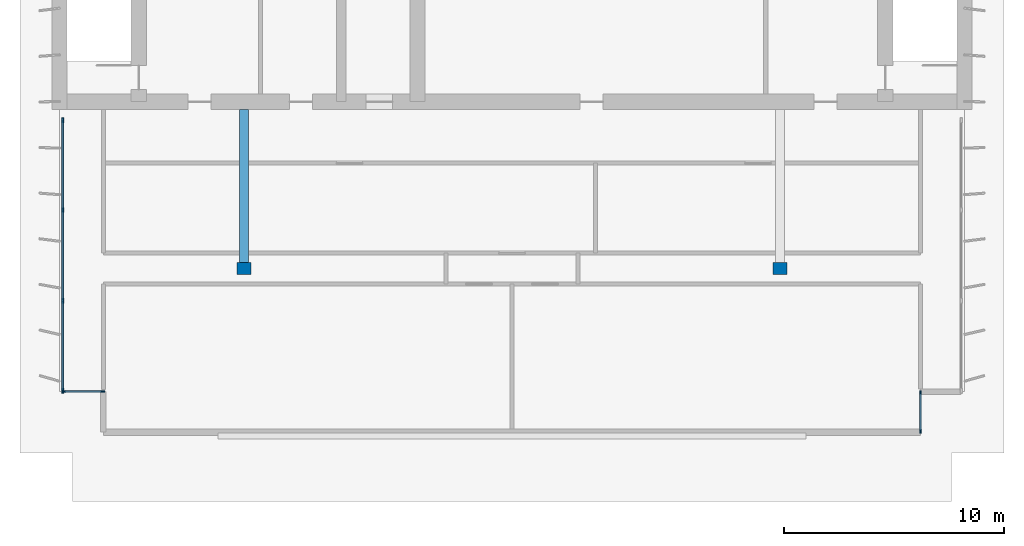
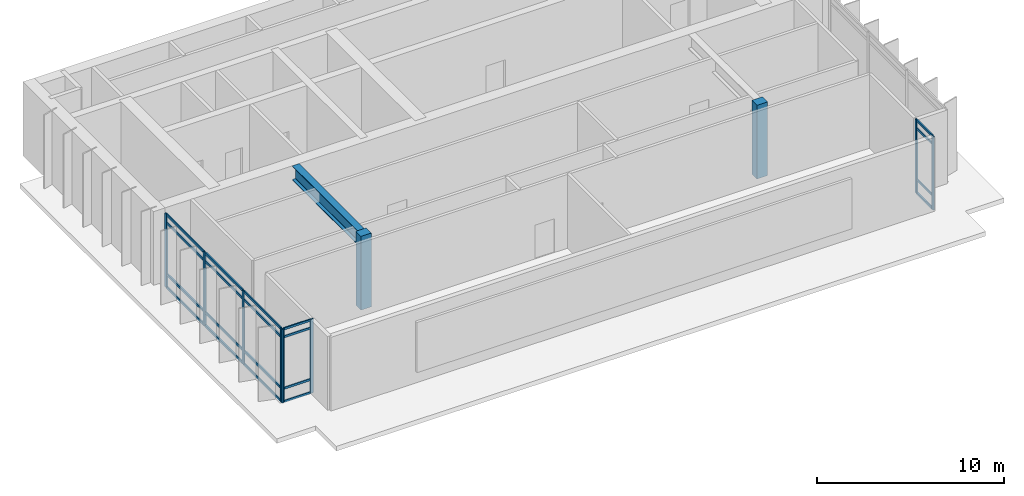
# One storey, part 1 of 5: 28 members, 2 columns, 1 beam, 3 elements without a shape of their own.
"""IFC4 building model written with IfcOpenShell, lengths in metres."""

from ifc_helpers import new_model, si_unit, direction, frame, origin, origin_2d, place, context, subcontext, project, spatial, rectangle, i_section, extrude, material, layer, layer_set, material_profile, profile_set, type_object, element, aggregate, save


model = new_model("IFC4")

# Units and contexts
model_context = context("Model", 3, precision=1e-05, world=origin(), true_north=direction((0.0, 1.0)))
body_context = subcontext(model_context, "Body", "Model", "MODEL_VIEW")
ifc_project = project(units=[si_unit("LENGTHUNIT", "METRE"), si_unit("AREAUNIT", "SQUARE_METRE"), si_unit("VOLUMEUNIT", "CUBIC_METRE"), si_unit("PLANEANGLEUNIT", "RADIAN"), si_unit("MASSUNIT", "GRAM", prefix="KILO")], contexts=[model_context])

# Site, building, storey
site_placement = place(None, origin())
site = spatial("IfcSite", under=ifc_project, at=site_placement, CompositionType="ELEMENT")
building_placement = place(site_placement, origin())
building = spatial("IfcBuilding", under=site, at=building_placement, Name="Caelmar Bay Residences", CompositionType="ELEMENT")
storey_placement = place(building_placement, frame((0.0, 0.0, 300.39990234375)))
storey = spatial("IfcBuildingStorey", under=building, at=storey_placement, Name="L82", CompositionType="ELEMENT", Elevation=300.39990234375)

# Columns
ifc_material_1 = material(Name="Concrete f'c 55 MPa (8,000 psi)", Category="concrete")
ifc_material_profile_1 = material_profile(ifc_material_1, rectangle(XDim=0.64990234375, YDim=0.550048828125, at=origin_2d()), Name="RC-COL-650X550")
ifc_profile_set_1 = profile_set([ifc_material_profile_1], Name="Concrete f'c 55 MPa (8,000 psi)")
column_type = type_object("IfcColumnType", Name="COL-RC-650X550", PredefinedType="COLUMN", material=ifc_profile_set_1)
for number, where, z_axis, x_axis, name in (
    (1, (26.699951171875, 29.39990234375, 0.0), (0.0, 0.0, 1.0), (1.0, 0.0, 0.0), "L82 Column (26.70,29.40)"),
    (2, (51.10009765625, 29.39990234375, 0.0), (0.0, 0.0, 1.0), (1.0, 0.0, 0.0), "L82 Column (51.10,29.40)"),
):
    element("IfcColumn", number, at=place(storey_placement, frame(where, z_axis=z_axis, x_axis=x_axis)), inside=storey, type_object=column_type, Name=name, PredefinedType="COLUMN", context=body_context, shape_type="SweptSolid", body=[
        extrude(rectangle(XDim=0.64990234375, YDim=0.550048828125, at=origin_2d()), origin(), (0.0, 0.0, 1.0), 4.800048828125),
    ])

# Beam
ifc_material_2 = material(Name="Steel ASTM A992 Grade 50", Category="steel")
ifc_material_profile_2 = material_profile(ifc_material_2, i_section(OverallWidth=0.422119140625, OverallDepth=0.925048828125, WebThickness=0.021240234375, FlangeThickness=0.03662109375, FilletRadius=0.020263671875, at=origin_2d()), Name="W36X262")
ifc_profile_set_2 = profile_set([ifc_material_profile_2], Name="Steel ASTM A992 Grade 50")
beam_type = type_object("IfcBeamType", Name="BM-GRD-W36X262", PredefinedType="BEAM", material=ifc_profile_set_2)
beam_placement = place(storey_placement, frame((26.699951171875, 29.6650390625, 4.337646484375), z_axis=(0.0, 1.0, 0.0), x_axis=(-1.0, 0.0, 0.0)))
element("IfcBeam", 3, at=beam_placement, inside=storey, type_object=beam_type, Name="L82 Core Tie Girder X=26.70", PredefinedType="BEAM", context=body_context, shape_type="SweptSolid", body=[
    extrude(i_section(OverallWidth=0.422119140625, OverallDepth=0.925048828125, WebThickness=0.021240234375, FlangeThickness=0.03662109375, FilletRadius=0.020263671875, at=origin_2d()), origin(), (0.0, 0.0, 1.0), 6.98486328125),
])

# Curtain wall, members
ifc_material_3 = material(Name="Anodised bronze aluminium 6063-T6 and laminated glass", Category="aluminium")
ifc_layer_1 = layer(ifc_material_3, 0.179931640625)
ifc_layer_set_1 = layer_set([ifc_layer_1], Name="Anodised bronze aluminium 6063-T6 and laminated glass")
curtain_wall_type_1 = type_object("IfcCurtainWallType", Name="CW6-NTC", PredefinedType="NOTDEFINED", material=ifc_layer_set_1)
curtain_wall_1_placement = place(storey_placement, origin())
curtain_wall_1 = element("IfcCurtainWall", 4, at=curtain_wall_1_placement, inside=storey, type_object=curtain_wall_type_1, Name="CW6 curtain wall L82", PredefinedType="NOTDEFINED")
ifc_material_4 = material(Name="Anodised bronze aluminium 6063-T6", Category="aluminium")
ifc_material_profile_3 = material_profile(ifc_material_4, rectangle(XDim=0.080078125, YDim=0.179931640625, at=origin_2d()), Name="CWM-80X180")
ifc_profile_set_3 = profile_set([ifc_material_profile_3], Name="Anodised bronze aluminium 6063-T6")
member_type_1 = type_object("IfcMemberType", Name="CWM-180", PredefinedType="MULLION", material=ifc_profile_set_3)
member_1_placement = place(storey_placement, frame((18.489990234375, 23.800048828125, 0.0), z_axis=(0.0, 0.0, 1.0), x_axis=(0.0, 1.0, 0.0)))
member_1 = element("IfcMember", 5, at=member_1_placement, type_object=member_type_1, Name="CW6 mullion 1", PredefinedType="MULLION", context=body_context, shape_type="SweptSolid", body=[
    extrude(rectangle(XDim=0.080078125, YDim=0.179931640625, at=origin_2d()), origin(), (0.0, 0.0, 1.0), 4.800048828125),
])
member_2_placement = place(storey_placement, frame((20.260009765625, 23.800048828125, 0.0), z_axis=(0.0, 0.0, 1.0), x_axis=(0.0, 1.0, 0.0)))
member_2 = element("IfcMember", 6, at=member_2_placement, type_object=member_type_1, Name="CW6 mullion 2", PredefinedType="MULLION", context=body_context, shape_type="SweptSolid", body=[
    extrude(rectangle(XDim=0.080078125, YDim=0.179931640625, at=origin_2d()), origin(), (0.0, 0.0, 1.0), 4.800048828125),
])

curtain_wall_2_placement = place(storey_placement, origin())
curtain_wall_2 = element("IfcCurtainWall", 7, at=curtain_wall_2_placement, inside=storey, type_object=curtain_wall_type_1, Name="CW6 curtain wall L82", PredefinedType="NOTDEFINED")
member_3_placement = place(storey_placement, frame((57.5, 21.989990234375, 0.0), z_axis=(0.0, 0.0, 1.0), x_axis=(-1.0, 0.0, 0.0)))
member_3 = element("IfcMember", 8, at=member_3_placement, type_object=member_type_1, Name="CW6 mullion 1", PredefinedType="MULLION", context=body_context, shape_type="SweptSolid", body=[
    extrude(rectangle(XDim=0.080078125, YDim=0.179931640625, at=origin_2d()), origin(), (0.0, 0.0, 1.0), 4.800048828125),
])
member_4_placement = place(storey_placement, frame((57.5, 23.760009765625, 0.0), z_axis=(0.0, 0.0, 1.0), x_axis=(-1.0, 0.0, 0.0)))
member_4 = element("IfcMember", 9, at=member_4_placement, type_object=member_type_1, Name="CW6 mullion 2", PredefinedType="MULLION", context=body_context, shape_type="SweptSolid", body=[
    extrude(rectangle(XDim=0.080078125, YDim=0.179931640625, at=origin_2d()), origin(), (0.0, 0.0, 1.0), 4.800048828125),
])

ifc_layer_2 = layer(ifc_material_3, 0.179931640625)
ifc_layer_set_2 = layer_set([ifc_layer_2], Name="Anodised bronze aluminium 6063-T6 and laminated glass")
curtain_wall_type_2 = type_object("IfcCurtainWallType", Name="CW7-CRN", PredefinedType="NOTDEFINED", material=ifc_layer_set_2)
curtain_wall_3_placement = place(storey_placement, origin())
curtain_wall_3 = element("IfcCurtainWall", 10, at=curtain_wall_3_placement, inside=storey, type_object=curtain_wall_type_2, Name="CW7 curtain wall L82", PredefinedType="NOTDEFINED")
ifc_material_profile_4 = material_profile(ifc_material_4, rectangle(XDim=0.080078125, YDim=0.219970703125, at=origin_2d()), Name="CWM-80X220")
ifc_profile_set_4 = profile_set([ifc_material_profile_4], Name="Anodised bronze aluminium 6063-T6")
member_type_2 = type_object("IfcMemberType", Name="CWM-220", PredefinedType="MULLION", material=ifc_profile_set_4)
member_5_placement = place(storey_placement, frame((18.449951171875, 23.840087890625, 0.0), z_axis=(0.0, 0.0, 1.0), x_axis=(-1.0, 0.0, 0.0)))
member_5 = element("IfcMember", 11, at=member_5_placement, type_object=member_type_2, Name="CW7 mullion 1", PredefinedType="MULLION", context=body_context, shape_type="SweptSolid", body=[
    extrude(rectangle(XDim=0.080078125, YDim=0.219970703125, at=origin_2d()), origin(), (0.0, 0.0, 1.0), 4.800048828125),
])
member_6_placement = place(storey_placement, frame((18.449951171875, 27.933349609375, 0.0), z_axis=(0.0, 0.0, 1.0), x_axis=(-1.0, 0.0, 0.0)))
member_6 = element("IfcMember", 12, at=member_6_placement, type_object=member_type_2, Name="CW7 mullion 2", PredefinedType="MULLION", context=body_context, shape_type="SweptSolid", body=[
    extrude(rectangle(XDim=0.080078125, YDim=0.219970703125, at=origin_2d()), origin(), (0.0, 0.0, 1.0), 4.800048828125),
])
member_7_placement = place(storey_placement, frame((18.449951171875, 32.066650390625, 0.0), z_axis=(0.0, 0.0, 1.0), x_axis=(-1.0, 0.0, 0.0)))
member_7 = element("IfcMember", 13, at=member_7_placement, type_object=member_type_2, Name="CW7 mullion 3", PredefinedType="MULLION", context=body_context, shape_type="SweptSolid", body=[
    extrude(rectangle(XDim=0.080078125, YDim=0.219970703125, at=origin_2d()), origin(), (0.0, 0.0, 1.0), 4.800048828125),
])
member_8_placement = place(storey_placement, frame((18.449951171875, 36.159912109375, 0.0), z_axis=(0.0, 0.0, 1.0), x_axis=(-1.0, 0.0, 0.0)))
member_8 = element("IfcMember", 14, at=member_8_placement, type_object=member_type_2, Name="CW7 mullion 4", PredefinedType="MULLION", context=body_context, shape_type="SweptSolid", body=[
    extrude(rectangle(XDim=0.080078125, YDim=0.219970703125, at=origin_2d()), origin(), (0.0, 0.0, 1.0), 4.800048828125),
])

# Member
ifc_material_profile_5 = material_profile(ifc_material_4, rectangle(XDim=0.080078125, YDim=0.139892578125, at=origin_2d()), Name="CWT-80X140")
ifc_profile_set_5 = profile_set([ifc_material_profile_5], Name="Anodised bronze aluminium 6063-T6")
member_type_3 = type_object("IfcMemberType", Name="CWT-140", PredefinedType="NOTDEFINED", material=ifc_profile_set_5)
member_9_placement = place(storey_placement, frame((18.530029296875, 23.800048828125, 0.0400390625), z_axis=(1.0, 0.0, 0.0), x_axis=(0.0, 1.0, 0.0)))
member_9 = element("IfcMember", 15, at=member_9_placement, type_object=member_type_3, Name="CW6 transom 1.1", ObjectType="TRANSOM", PredefinedType="USERDEFINED", context=body_context, shape_type="SweptSolid", body=[
    extrude(rectangle(XDim=0.080078125, YDim=0.139892578125, at=origin_2d()), origin(), (0.0, 0.0, 1.0), 1.68994140625),
])

member_10_placement = place(storey_placement, frame((18.530029296875, 23.800048828125, 0.900146484375), z_axis=(1.0, 0.0, 0.0), x_axis=(0.0, 1.0, 0.0)))
member_10 = element("IfcMember", 16, at=member_10_placement, type_object=member_type_3, Name="CW6 transom 1.2", ObjectType="TRANSOM", PredefinedType="USERDEFINED", context=body_context, shape_type="SweptSolid", body=[
    extrude(rectangle(XDim=0.080078125, YDim=0.139892578125, at=origin_2d()), origin(), (0.0, 0.0, 1.0), 1.68994140625),
])

member_11_placement = place(storey_placement, frame((18.530029296875, 23.800048828125, 4.25), z_axis=(1.0, 0.0, 0.0), x_axis=(0.0, 1.0, 0.0)))
member_11 = element("IfcMember", 17, at=member_11_placement, type_object=member_type_3, Name="CW6 transom 1.3", ObjectType="TRANSOM", PredefinedType="USERDEFINED", context=body_context, shape_type="SweptSolid", body=[
    extrude(rectangle(XDim=0.080078125, YDim=0.139892578125, at=origin_2d()), origin(), (0.0, 0.0, 1.0), 1.68994140625),
])

member_12_placement = place(storey_placement, frame((18.530029296875, 23.800048828125, 4.760009765625), z_axis=(1.0, 0.0, 0.0), x_axis=(0.0, 1.0, 0.0)))
member_12 = element("IfcMember", 18, at=member_12_placement, type_object=member_type_3, Name="CW6 transom 1.4", ObjectType="TRANSOM", PredefinedType="USERDEFINED", context=body_context, shape_type="SweptSolid", body=[
    extrude(rectangle(XDim=0.080078125, YDim=0.139892578125, at=origin_2d()), origin(), (0.0, 0.0, 1.0), 1.68994140625),
])

aggregate(curtain_wall_1, [member_1, member_2, member_9, member_10, member_11, member_12])

member_13_placement = place(storey_placement, frame((57.5, 22.030029296875, 0.0400390625), z_axis=(0.0, 1.0, 0.0), x_axis=(-1.0, 0.0, 0.0)))
member_13 = element("IfcMember", 19, at=member_13_placement, type_object=member_type_3, Name="CW6 transom 1.1", ObjectType="TRANSOM", PredefinedType="USERDEFINED", context=body_context, shape_type="SweptSolid", body=[
    extrude(rectangle(XDim=0.080078125, YDim=0.139892578125, at=origin_2d()), origin(), (0.0, 0.0, 1.0), 1.68994140625),
])

member_14_placement = place(storey_placement, frame((57.5, 22.030029296875, 0.900146484375), z_axis=(0.0, 1.0, 0.0), x_axis=(-1.0, 0.0, 0.0)))
member_14 = element("IfcMember", 20, at=member_14_placement, type_object=member_type_3, Name="CW6 transom 1.2", ObjectType="TRANSOM", PredefinedType="USERDEFINED", context=body_context, shape_type="SweptSolid", body=[
    extrude(rectangle(XDim=0.080078125, YDim=0.139892578125, at=origin_2d()), origin(), (0.0, 0.0, 1.0), 1.68994140625),
])

member_15_placement = place(storey_placement, frame((57.5, 22.030029296875, 4.25), z_axis=(0.0, 1.0, 0.0), x_axis=(-1.0, 0.0, 0.0)))
member_15 = element("IfcMember", 21, at=member_15_placement, type_object=member_type_3, Name="CW6 transom 1.3", ObjectType="TRANSOM", PredefinedType="USERDEFINED", context=body_context, shape_type="SweptSolid", body=[
    extrude(rectangle(XDim=0.080078125, YDim=0.139892578125, at=origin_2d()), origin(), (0.0, 0.0, 1.0), 1.68994140625),
])

member_16_placement = place(storey_placement, frame((57.5, 22.030029296875, 4.760009765625), z_axis=(0.0, 1.0, 0.0), x_axis=(-1.0, 0.0, 0.0)))
member_16 = element("IfcMember", 22, at=member_16_placement, type_object=member_type_3, Name="CW6 transom 1.4", ObjectType="TRANSOM", PredefinedType="USERDEFINED", context=body_context, shape_type="SweptSolid", body=[
    extrude(rectangle(XDim=0.080078125, YDim=0.139892578125, at=origin_2d()), origin(), (0.0, 0.0, 1.0), 1.68994140625),
])

aggregate(curtain_wall_2, [member_3, member_4, member_13, member_14, member_15, member_16])

ifc_material_profile_6 = material_profile(ifc_material_4, rectangle(XDim=0.080078125, YDim=0.159912109375, at=origin_2d()), Name="CWT-80X160")
ifc_profile_set_6 = profile_set([ifc_material_profile_6], Name="Anodised bronze aluminium 6063-T6")
member_type_4 = type_object("IfcMemberType", Name="CWT-160", PredefinedType="NOTDEFINED", material=ifc_profile_set_6)
member_17_placement = place(storey_placement, frame((18.449951171875, 23.8798828125, 0.0400390625), z_axis=(0.0, 1.0, 0.0), x_axis=(-1.0, 0.0, 0.0)))
member_17 = element("IfcMember", 23, at=member_17_placement, type_object=member_type_4, Name="CW7 transom 1.1", ObjectType="TRANSOM", PredefinedType="USERDEFINED", context=body_context, shape_type="SweptSolid", body=[
    extrude(rectangle(XDim=0.080078125, YDim=0.159912109375, at=origin_2d()), origin(), (0.0, 0.0, 1.0), 4.013427734375),
])

member_18_placement = place(storey_placement, frame((18.449951171875, 23.8798828125, 0.900146484375), z_axis=(0.0, 1.0, 0.0), x_axis=(-1.0, 0.0, 0.0)))
member_18 = element("IfcMember", 24, at=member_18_placement, type_object=member_type_4, Name="CW7 transom 1.2", ObjectType="TRANSOM", PredefinedType="USERDEFINED", context=body_context, shape_type="SweptSolid", body=[
    extrude(rectangle(XDim=0.080078125, YDim=0.159912109375, at=origin_2d()), origin(), (0.0, 0.0, 1.0), 4.013427734375),
])

member_19_placement = place(storey_placement, frame((18.449951171875, 23.8798828125, 4.25), z_axis=(0.0, 1.0, 0.0), x_axis=(-1.0, 0.0, 0.0)))
member_19 = element("IfcMember", 25, at=member_19_placement, type_object=member_type_4, Name="CW7 transom 1.3", ObjectType="TRANSOM", PredefinedType="USERDEFINED", context=body_context, shape_type="SweptSolid", body=[
    extrude(rectangle(XDim=0.080078125, YDim=0.159912109375, at=origin_2d()), origin(), (0.0, 0.0, 1.0), 4.013427734375),
])

member_20_placement = place(storey_placement, frame((18.449951171875, 23.8798828125, 4.760009765625), z_axis=(0.0, 1.0, 0.0), x_axis=(-1.0, 0.0, 0.0)))
member_20 = element("IfcMember", 26, at=member_20_placement, type_object=member_type_4, Name="CW7 transom 1.4", ObjectType="TRANSOM", PredefinedType="USERDEFINED", context=body_context, shape_type="SweptSolid", body=[
    extrude(rectangle(XDim=0.080078125, YDim=0.159912109375, at=origin_2d()), origin(), (0.0, 0.0, 1.0), 4.013427734375),
])

member_21_placement = place(storey_placement, frame((18.449951171875, 27.973388671875, 0.0400390625), z_axis=(0.0, 1.0, 0.0), x_axis=(-1.0, 0.0, 0.0)))
member_21 = element("IfcMember", 27, at=member_21_placement, type_object=member_type_4, Name="CW7 transom 2.1", ObjectType="TRANSOM", PredefinedType="USERDEFINED", context=body_context, shape_type="SweptSolid", body=[
    extrude(rectangle(XDim=0.080078125, YDim=0.159912109375, at=origin_2d()), origin(), (0.0, 0.0, 1.0), 4.05322265625),
])

member_22_placement = place(storey_placement, frame((18.449951171875, 27.973388671875, 0.900146484375), z_axis=(0.0, 1.0, 0.0), x_axis=(-1.0, 0.0, 0.0)))
member_22 = element("IfcMember", 28, at=member_22_placement, type_object=member_type_4, Name="CW7 transom 2.2", ObjectType="TRANSOM", PredefinedType="USERDEFINED", context=body_context, shape_type="SweptSolid", body=[
    extrude(rectangle(XDim=0.080078125, YDim=0.159912109375, at=origin_2d()), origin(), (0.0, 0.0, 1.0), 4.05322265625),
])

member_23_placement = place(storey_placement, frame((18.449951171875, 27.973388671875, 4.25), z_axis=(0.0, 1.0, 0.0), x_axis=(-1.0, 0.0, 0.0)))
member_23 = element("IfcMember", 29, at=member_23_placement, type_object=member_type_4, Name="CW7 transom 2.3", ObjectType="TRANSOM", PredefinedType="USERDEFINED", context=body_context, shape_type="SweptSolid", body=[
    extrude(rectangle(XDim=0.080078125, YDim=0.159912109375, at=origin_2d()), origin(), (0.0, 0.0, 1.0), 4.05322265625),
])

member_24_placement = place(storey_placement, frame((18.449951171875, 27.973388671875, 4.760009765625), z_axis=(0.0, 1.0, 0.0), x_axis=(-1.0, 0.0, 0.0)))
member_24 = element("IfcMember", 30, at=member_24_placement, type_object=member_type_4, Name="CW7 transom 2.4", ObjectType="TRANSOM", PredefinedType="USERDEFINED", context=body_context, shape_type="SweptSolid", body=[
    extrude(rectangle(XDim=0.080078125, YDim=0.159912109375, at=origin_2d()), origin(), (0.0, 0.0, 1.0), 4.05322265625),
])

member_25_placement = place(storey_placement, frame((18.449951171875, 32.106689453125, 0.0400390625), z_axis=(0.0, 1.0, 0.0), x_axis=(-1.0, 0.0, 0.0)))
member_25 = element("IfcMember", 31, at=member_25_placement, type_object=member_type_4, Name="CW7 transom 3.1", ObjectType="TRANSOM", PredefinedType="USERDEFINED", context=body_context, shape_type="SweptSolid", body=[
    extrude(rectangle(XDim=0.080078125, YDim=0.159912109375, at=origin_2d()), origin(), (0.0, 0.0, 1.0), 4.013427734375),
])

member_26_placement = place(storey_placement, frame((18.449951171875, 32.106689453125, 0.900146484375), z_axis=(0.0, 1.0, 0.0), x_axis=(-1.0, 0.0, 0.0)))
member_26 = element("IfcMember", 32, at=member_26_placement, type_object=member_type_4, Name="CW7 transom 3.2", ObjectType="TRANSOM", PredefinedType="USERDEFINED", context=body_context, shape_type="SweptSolid", body=[
    extrude(rectangle(XDim=0.080078125, YDim=0.159912109375, at=origin_2d()), origin(), (0.0, 0.0, 1.0), 4.013427734375),
])

member_27_placement = place(storey_placement, frame((18.449951171875, 32.106689453125, 4.25), z_axis=(0.0, 1.0, 0.0), x_axis=(-1.0, 0.0, 0.0)))
member_27 = element("IfcMember", 33, at=member_27_placement, type_object=member_type_4, Name="CW7 transom 3.3", ObjectType="TRANSOM", PredefinedType="USERDEFINED", context=body_context, shape_type="SweptSolid", body=[
    extrude(rectangle(XDim=0.080078125, YDim=0.159912109375, at=origin_2d()), origin(), (0.0, 0.0, 1.0), 4.013427734375),
])

member_28_placement = place(storey_placement, frame((18.449951171875, 32.106689453125, 4.760009765625), z_axis=(0.0, 1.0, 0.0), x_axis=(-1.0, 0.0, 0.0)))
member_28 = element("IfcMember", 34, at=member_28_placement, type_object=member_type_4, Name="CW7 transom 3.4", ObjectType="TRANSOM", PredefinedType="USERDEFINED", context=body_context, shape_type="SweptSolid", body=[
    extrude(rectangle(XDim=0.080078125, YDim=0.159912109375, at=origin_2d()), origin(), (0.0, 0.0, 1.0), 4.013427734375),
])

aggregate(curtain_wall_3, [member_5, member_6, member_7, member_8, member_17, member_18, member_19, member_20, member_21, member_22, member_23, member_24, member_25, member_26, member_27, member_28])

save(model, "model.ifc")
